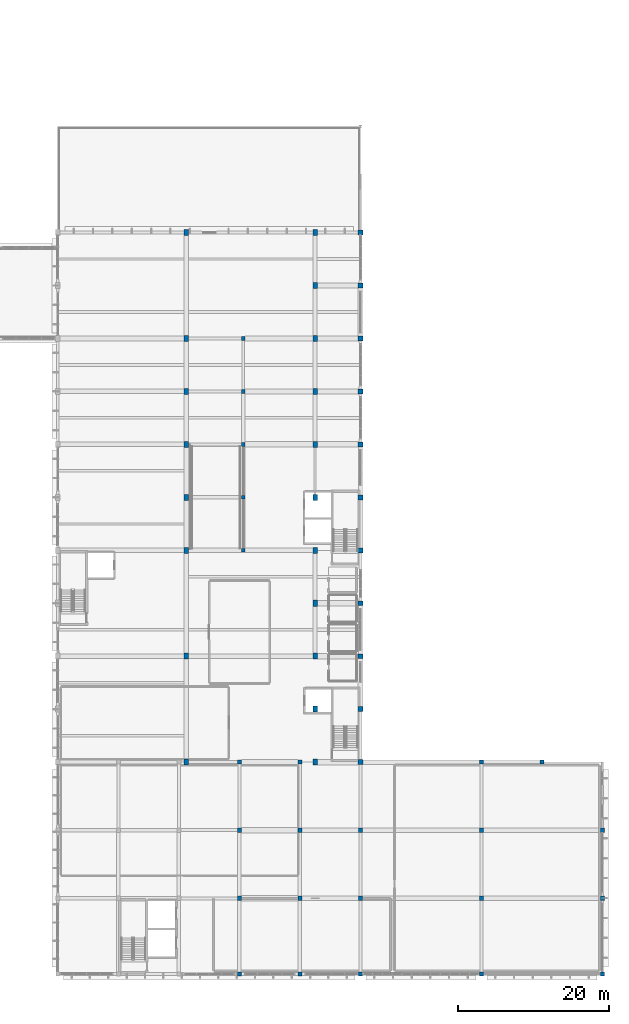
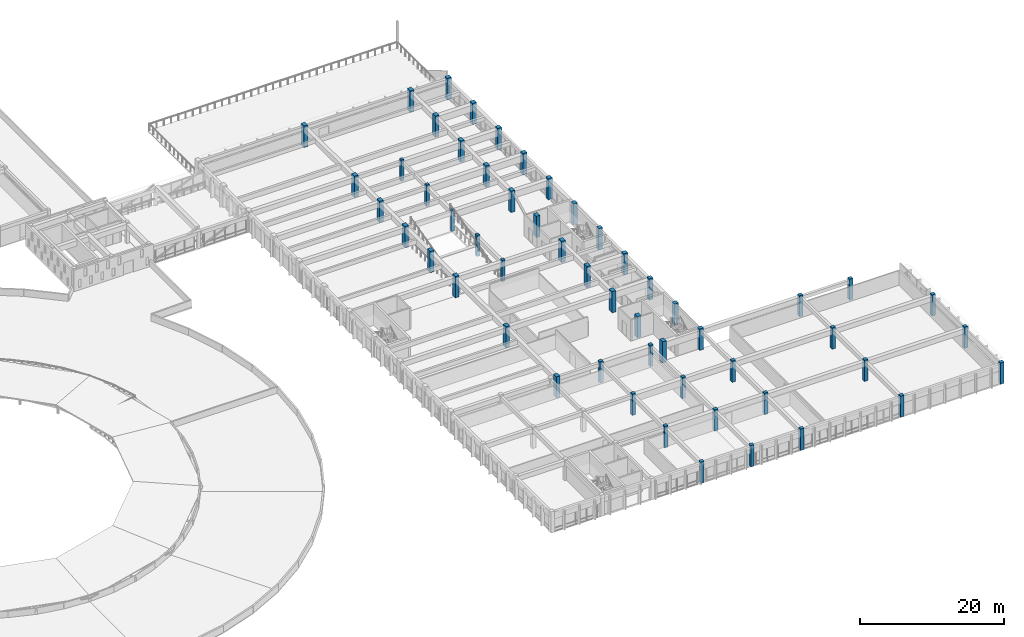
# One storey, part 9 of 77: 54 columns.
"""IFC4 building model written with IfcOpenShell, lengths in metres."""

from ifc_helpers import new_model, si_unit, direction, frame, origin, origin_2d, place, context, subcontext, project, spatial, rectangle, extrude, material, material_profile, profile_set, type_object, element, save


model = new_model("IFC4")

# Units and contexts
model_context = context("Model", 3, precision=1e-05, world=origin(), true_north=direction((0.0, 1.0)))
body_context = subcontext(model_context, "Body", "Model", "MODEL_VIEW")
ifc_project = project(units=[si_unit("LENGTHUNIT", "METRE"), si_unit("AREAUNIT", "SQUARE_METRE"), si_unit("VOLUMEUNIT", "CUBIC_METRE"), si_unit("PLANEANGLEUNIT", "RADIAN"), si_unit("MASSUNIT", "GRAM", prefix="KILO")], contexts=[model_context])

# Site, building, storey
site_placement = place(None, origin())
site = spatial("IfcSite", under=ifc_project, at=site_placement, CompositionType="ELEMENT")
building_placement = place(site_placement, origin())
building = spatial("IfcBuilding", under=site, at=building_placement, Name="Larkveld Mobility Hub", CompositionType="ELEMENT")
storey_placement = place(building_placement, frame((0.0, 0.0, 12.0)))
storey = spatial("IfcBuildingStorey", under=building, at=storey_placement, Name="L03", CompositionType="ELEMENT", Elevation=12.0)

# Columns
ifc_material_1 = material(Name="Precast concrete C50/60", Category="concrete")
ifc_material_profile_1 = material_profile(ifc_material_1, rectangle(XDim=0.60009765625, YDim=0.800048828125, at=origin_2d()), Name="RC COL 600x800")
ifc_profile_set_1 = profile_set([ifc_material_profile_1], Name="Precast concrete C50/60")
column_type_1 = type_object("IfcColumnType", Name="CL-PC6080", PredefinedType="COLUMN", material=ifc_profile_set_1)
for number, where, z_axis, x_axis, name in (
    (1, (129.0, 28.0, 0.0), (0.0, 0.0, 1.0), (1.0, 0.0, 0.0), "Column EV-X129-Y28 (L03)"),
    (2, (129.0, 42.0, 0.0), (0.0, 0.0, 1.0), (1.0, 0.0, 0.0), "Column EV-X129-Y42 (L03)"),
    (3, (129.0, 56.0, 0.0), (0.0, 0.0, 1.0), (1.0, 0.0, 0.0), "Column EV-X129-Y56 (L03)"),
    (4, (129.0, 70.0, 0.0), (0.0, 0.0, 1.0), (1.0, 0.0, 0.0), "Column EV-X129-Y70 (L03)"),
    (5, (129.0, 77.0, 0.0), (0.0, 0.0, 1.0), (1.0, 0.0, 0.0), "Column EV-X129-Y77 (L03)"),
    (6, (129.0, 84.0, 0.0), (0.0, 0.0, 1.0), (1.0, 0.0, 0.0), "Column EV-X129-Y84 (L03)"),
    (7, (129.0, 98.0, 0.0), (0.0, 0.0, 1.0), (1.0, 0.0, 0.0), "Column EV-X129-Y98 (L03)"),
    (8, (146.0, 28.0, 0.0), (0.0, 0.0, 1.0), (1.0, 0.0, 0.0), "Column EV-X146-Y28 (L03)"),
    (9, (146.0, 35.0, 0.0), (0.0, 0.0, 1.0), (1.0, 0.0, 0.0), "Column EV-X146-Y35 (L03)"),
    (10, (146.0, 42.0, 0.0), (0.0, 0.0, 1.0), (1.0, 0.0, 0.0), "Column EV-X146-Y42 (L03)"),
    (11, (146.0, 49.0, 0.0), (0.0, 0.0, 1.0), (1.0, 0.0, 0.0), "Column EV-X146-Y49 (L03)"),
    (12, (146.0, 56.0, 0.0), (0.0, 0.0, 1.0), (1.0, 0.0, 0.0), "Column EV-X146-Y56 (L03)"),
    (13, (146.0, 63.0, 0.0), (0.0, 0.0, 1.0), (1.0, 0.0, 0.0), "Column EV-X146-Y63 (L03)"),
    (14, (146.0, 70.0, 0.0), (0.0, 0.0, 1.0), (1.0, 0.0, 0.0), "Column EV-X146-Y70 (L03)"),
    (15, (146.0, 77.0, 0.0), (0.0, 0.0, 1.0), (1.0, 0.0, 0.0), "Column EV-X146-Y77 (L03)"),
    (16, (146.0, 84.0, 0.0), (0.0, 0.0, 1.0), (1.0, 0.0, 0.0), "Column EV-X146-Y84 (L03)"),
    (17, (146.0, 91.0, 0.0), (0.0, 0.0, 1.0), (1.0, 0.0, 0.0), "Column EV-X146-Y91 (L03)"),
    (18, (146.0, 98.0, 0.0), (0.0, 0.0, 1.0), (1.0, 0.0, 0.0), "Column EV-X146-Y98 (L03)"),
    (19, (129.0, 63.0, 0.0), (0.0, 0.0, 1.0), (1.0, 0.0, 0.0), "Column EVR-X1290-Y63 (L03)"),
):
    element("IfcColumn", number, at=place(storey_placement, frame(where, z_axis=z_axis, x_axis=x_axis)), inside=storey, type_object=column_type_1, Name=name, PredefinedType="COLUMN", context=body_context, shape_type="SweptSolid", body=[
        extrude(rectangle(XDim=0.60009765625, YDim=0.800048828125, at=origin_2d()), origin(), (0.0, 0.0, 1.0), 3.60009765625),
    ])
ifc_material_2 = material(Name="Concrete C40/50", Category="concrete")
ifc_material_profile_2 = material_profile(ifc_material_2, rectangle(XDim=0.5, YDim=0.5, at=origin_2d()), Name="RC COL 500x500")
ifc_profile_set_2 = profile_set([ifc_material_profile_2], Name="Concrete C40/50")
column_type_2 = type_object("IfcColumnType", Name="CL-RC500", PredefinedType="COLUMN", material=ifc_profile_set_2)
for number, where, z_axis, x_axis, name in (
    (20, (136.5, 70.0, 0.0), (0.0, 0.0, 1.0), (1.0, 0.0, 0.0), "Column EVRMP-X1365-Y70 (L03)"),
    (21, (136.5, 77.0, 0.0), (0.0, 0.0, 1.0), (1.0, 0.0, 0.0), "Column EVRMP-X1365-Y77 (L03)"),
    (22, (136.5, 84.0, 0.0), (0.0, 0.0, 1.0), (1.0, 0.0, 0.0), "Column EVRMP-X1365-Y84 (L03)"),
    (23, (136.5, 56.0, 0.0), (0.0, 0.0, 1.0), (1.0, 0.0, 0.0), "Column EVR-X1365-Y56 (L03)"),
    (24, (136.5, 63.0, 0.0), (0.0, 0.0, 1.0), (1.0, 0.0, 0.0), "Column EVR-X1365-Y63 (L03)"),
):
    element("IfcColumn", number, at=place(storey_placement, frame(where, z_axis=z_axis, x_axis=x_axis)), inside=storey, type_object=column_type_2, Name=name, PredefinedType="COLUMN", context=body_context, shape_type="SweptSolid", body=[
        extrude(rectangle(XDim=0.5, YDim=0.5, at=origin_2d()), origin(), (0.0, 0.0, 1.0), 3.60009765625),
    ])
ifc_material_profile_3 = material_profile(ifc_material_2, rectangle(XDim=0.550048828125, YDim=0.550048828125, at=origin_2d()), Name="RC COL 550x550")
ifc_profile_set_3 = profile_set([ifc_material_profile_3], Name="Concrete C40/50")
column_type_3 = type_object("IfcColumnType", Name="CL-RC550", PredefinedType="COLUMN", material=ifc_profile_set_3)
for number, where, z_axis, x_axis, name in (
    (25, (136.0, 0.0, 0.0), (0.0, 0.0, 1.0), (1.0, 0.0, 0.0), "Column V6-X136-Y0 (L03)"),
    (26, (136.0, 10.0, 0.0), (0.0, 0.0, 1.0), (1.0, 0.0, 0.0), "Column V6-X136-Y10 (L03)"),
    (27, (136.0, 19.0, 0.0), (0.0, 0.0, 1.0), (1.0, 0.0, 0.0), "Column V6-X136-Y19 (L03)"),
    (28, (136.0, 28.0, 0.0), (0.0, 0.0, 1.0), (1.0, 0.0, 0.0), "Column V6-X136-Y28 (L03)"),
    (29, (144.0, 0.0, 0.0), (0.0, 0.0, 1.0), (1.0, 0.0, 0.0), "Column V6-X144-Y0 (L03)"),
    (30, (144.0, 10.0, 0.0), (0.0, 0.0, 1.0), (1.0, 0.0, 0.0), "Column V6-X144-Y10 (L03)"),
    (31, (144.0, 19.0, 0.0), (0.0, 0.0, 1.0), (1.0, 0.0, 0.0), "Column V6-X144-Y19 (L03)"),
    (32, (144.0, 28.0, 0.0), (0.0, 0.0, 1.0), (1.0, 0.0, 0.0), "Column V6-X144-Y28 (L03)"),
    (33, (152.0, 0.0, 0.0), (0.0, 0.0, 1.0), (1.0, 0.0, 0.0), "Column V6-X152-Y0 (L03)"),
    (34, (152.0, 10.0, 0.0), (0.0, 0.0, 1.0), (1.0, 0.0, 0.0), "Column V6-X152-Y10 (L03)"),
    (35, (152.0, 19.0, 0.0), (0.0, 0.0, 1.0), (1.0, 0.0, 0.0), "Column V6-X152-Y19 (L03)"),
    (36, (168.0, 0.0, 0.0), (0.0, 0.0, 1.0), (1.0, 0.0, 0.0), "Column V6-X168-Y0 (L03)"),
    (37, (168.0, 10.0, 0.0), (0.0, 0.0, 1.0), (1.0, 0.0, 0.0), "Column V6-X168-Y10 (L03)"),
    (38, (168.0, 19.0, 0.0), (0.0, 0.0, 1.0), (1.0, 0.0, 0.0), "Column V6-X168-Y19 (L03)"),
    (39, (168.0, 28.0, 0.0), (0.0, 0.0, 1.0), (1.0, 0.0, 0.0), "Column V6-X168-Y28 (L03)"),
    (40, (176.0, 28.0, 0.0), (0.0, 0.0, 1.0), (1.0, 0.0, 0.0), "Column V6-X176-Y28 (L03)"),
    (41, (184.0, 0.0, 0.0), (0.0, 0.0, 1.0), (1.0, 0.0, 0.0), "Column V6-X184-Y0 (L03)"),
    (42, (184.0, 10.0, 0.0), (0.0, 0.0, 1.0), (1.0, 0.0, 0.0), "Column V6-X184-Y10 (L03)"),
    (43, (184.0, 19.0, 0.0), (0.0, 0.0, 1.0), (1.0, 0.0, 0.0), "Column V6-X184-Y19 (L03)"),
):
    element("IfcColumn", number, at=place(storey_placement, frame(where, z_axis=z_axis, x_axis=x_axis)), inside=storey, type_object=column_type_3, Name=name, PredefinedType="COLUMN", context=body_context, shape_type="SweptSolid", body=[
        extrude(rectangle(XDim=0.550048828125, YDim=0.550048828125, at=origin_2d()), origin(), (0.0, 0.0, 1.0), 3.60009765625),
    ])
ifc_material_profile_4 = material_profile(ifc_material_2, rectangle(XDim=0.64990234375, YDim=0.64990234375, at=origin_2d()), Name="RC COL 650x650")
ifc_profile_set_4 = profile_set([ifc_material_profile_4], Name="Concrete C40/50")
column_type_4 = type_object("IfcColumnType", Name="CL-RC650", PredefinedType="COLUMN", material=ifc_profile_set_4)
for number, where, z_axis, x_axis, name in (
    (44, (152.0, 28.0, 0.0), (0.0, 0.0, 1.0), (1.0, 0.0, 0.0), "Column EV-X152-Y28 (L03)"),
    (45, (152.0, 35.0, 0.0), (0.0, 0.0, 1.0), (1.0, 0.0, 0.0), "Column EV-X152-Y35 (L03)"),
    (46, (152.0, 42.0, 0.0), (0.0, 0.0, 1.0), (1.0, 0.0, 0.0), "Column EV-X152-Y42 (L03)"),
    (47, (152.0, 49.0, 0.0), (0.0, 0.0, 1.0), (1.0, 0.0, 0.0), "Column EV-X152-Y49 (L03)"),
    (48, (152.0, 56.0, 0.0), (0.0, 0.0, 1.0), (1.0, 0.0, 0.0), "Column EV-X152-Y56 (L03)"),
    (49, (152.0, 63.0, 0.0), (0.0, 0.0, 1.0), (1.0, 0.0, 0.0), "Column EV-X152-Y63 (L03)"),
    (50, (152.0, 70.0, 0.0), (0.0, 0.0, 1.0), (1.0, 0.0, 0.0), "Column EV-X152-Y70 (L03)"),
    (51, (152.0, 77.0, 0.0), (0.0, 0.0, 1.0), (1.0, 0.0, 0.0), "Column EV-X152-Y77 (L03)"),
    (52, (152.0, 84.0, 0.0), (0.0, 0.0, 1.0), (1.0, 0.0, 0.0), "Column EV-X152-Y84 (L03)"),
    (53, (152.0, 91.0, 0.0), (0.0, 0.0, 1.0), (1.0, 0.0, 0.0), "Column EV-X152-Y91 (L03)"),
    (54, (152.0, 98.0, 0.0), (0.0, 0.0, 1.0), (1.0, 0.0, 0.0), "Column EV-X152-Y98 (L03)"),
):
    element("IfcColumn", number, at=place(storey_placement, frame(where, z_axis=z_axis, x_axis=x_axis)), inside=storey, type_object=column_type_4, Name=name, PredefinedType="COLUMN", context=body_context, shape_type="SweptSolid", body=[
        extrude(rectangle(XDim=0.64990234375, YDim=0.64990234375, at=origin_2d()), origin(), (0.0, 0.0, 1.0), 3.60009765625),
    ])

save(model, "model.ifc")
